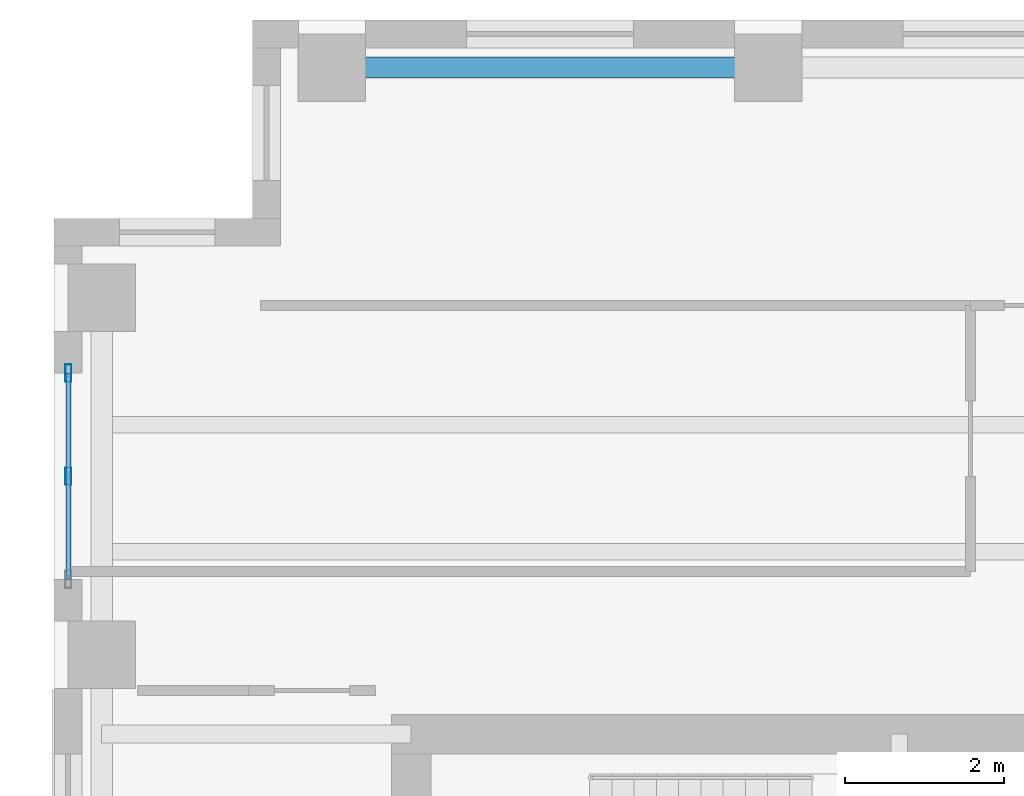
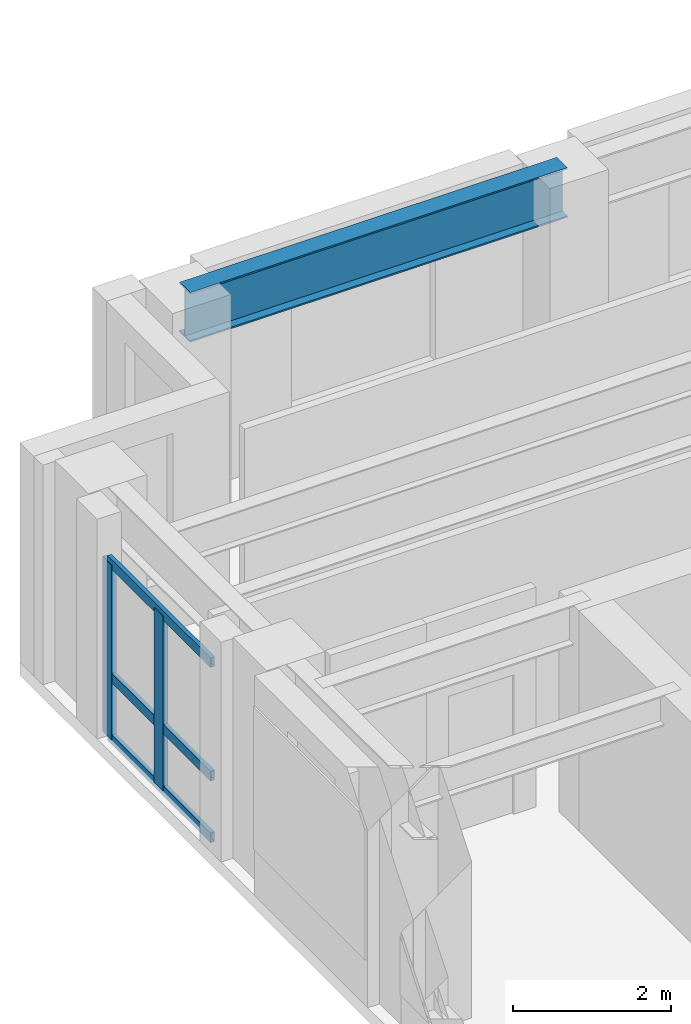
# One storey, part 4 of 13: 5 members, 1 beam, 1 element without a shape of its own.
"""IFC4 building model written with IfcOpenShell, lengths in metres."""

from ifc_helpers import new_model, si_unit, direction, frame, origin, origin_2d, place, context, subcontext, project, spatial, hollow_rectangle, i_section, extrude, source, transform, mapped, material, layer, layer_set, material_profile, profile_set, type_object, element, aggregate, save


model = new_model("IFC4")

# Units and contexts
model_context = context("Model", 3, precision=1e-05, world=origin(), true_north=direction((0.0, 1.0)))
body_context = subcontext(model_context, "Body", "Model", "MODEL_VIEW")
ifc_project = project(units=[si_unit("LENGTHUNIT", "METRE"), si_unit("AREAUNIT", "SQUARE_METRE"), si_unit("VOLUMEUNIT", "CUBIC_METRE"), si_unit("PLANEANGLEUNIT", "RADIAN"), si_unit("MASSUNIT", "GRAM", prefix="KILO")], contexts=[model_context])

# Site, building, storey
site_placement = place(None, origin())
site = spatial("IfcSite", under=ifc_project, at=site_placement, CompositionType="ELEMENT")
building_placement = place(site_placement, origin())
building = spatial("IfcBuilding", under=site, at=building_placement, Name="Kharzan Plaza Tower", CompositionType="ELEMENT")
storey_placement = place(building_placement, frame((0.0, 0.0, 244.800048828125)))
storey = spatial("IfcBuildingStorey", under=building, at=storey_placement, Name="L66", CompositionType="ELEMENT", Elevation=244.800048828125)

# Curtain wall, members
ifc_material_1 = material(Name="Unitised Bronze-Anodized Aluminium and Low-E Glass", Category="aluminium")
ifc_layer = layer(ifc_material_1, 0.199951171875)
ifc_layer_set = layer_set([ifc_layer], Name="Unitised Bronze-Anodized Aluminium and Low-E Glass")
curtain_wall_type = type_object("IfcCurtainWallType", Name="CW-EXEC-5", PredefinedType="NOTDEFINED", material=ifc_layer_set)
curtain_wall_placement = place(storey_placement, origin())
curtain_wall = element("IfcCurtainWall", 1, at=curtain_wall_placement, inside=storey, type_object=curtain_wall_type, Name="L66 Upper Executive Setback Panoramic Curtain Wall", PredefinedType="NOTDEFINED")
ifc_material_2 = material(Name="Anodized Bronze Aluminium", Category="aluminium")
ifc_material_profile_1 = material_profile(ifc_material_2, hollow_rectangle(XDim=0.074951171875, YDim=0.219970703125, WallThickness=0.00390625, at=origin_2d()), Name="ALU-M220x75x4")
ifc_profile_set_1 = profile_set([ifc_material_profile_1], Name="Anodized Bronze Aluminium")
member_type_1 = type_object("IfcMemberType", Name="MEM-CW-MUL200", PredefinedType="MULLION", material=ifc_profile_set_1)
shared_shape_1 = source(origin(), body_context, "Body", "SweptSolid", [
    extrude(hollow_rectangle(XDim=0.074951171875, YDim=0.219970703125, WallThickness=0.00390625, at=origin_2d()), origin(), (0.0, 0.0, 1.0), 2.699951171875),
])
member_1_placement = place(storey_placement, frame((0.179931640625, 32.75, 0.0), z_axis=(0.0, 0.0, 1.0), x_axis=(1.0, 0.0, 0.0)))
member_1 = element("IfcMember", 2, at=member_1_placement, type_object=member_type_1, Name="L66 Curtain-Wall Mullion 01", PredefinedType="MULLION", context=body_context, shape_type="MappedRepresentation", body=[
    mapped(shared_shape_1, transform((0.0, 0.0, 0.0), x_axis=(1.0, 0.0, 0.0), y_axis=(0.0, 1.0, 0.0), z_axis=(0.0, 0.0, 1.0))),
])
member_2_placement = place(storey_placement, frame((0.179931640625, 34.050048828125, 0.0), z_axis=(0.0, 0.0, 1.0), x_axis=(1.0, 0.0, 0.0)))
member_2 = element("IfcMember", 3, at=member_2_placement, type_object=member_type_1, Name="L66 Curtain-Wall Mullion 02", PredefinedType="MULLION", context=body_context, shape_type="MappedRepresentation", body=[
    mapped(shared_shape_1, transform((0.0, 0.0, 0.0), x_axis=(1.0, 0.0, 0.0), y_axis=(0.0, 1.0, 0.0), z_axis=(0.0, 0.0, 1.0))),
])

# Beam
ifc_material_3 = material(Name="Steel S355", Category="steel")
ifc_material_profile_2 = material_profile(ifc_material_3, i_section(OverallWidth=0.26708984375, OverallDepth=0.76611328125, WebThickness=0.014892578125, FlangeThickness=0.023681640625, at=origin_2d()), Name="W760x185")
ifc_profile_set_2 = profile_set([ifc_material_profile_2], Name="Steel S355")
beam_type = type_object("IfcBeamType", Name="BM-SP760B", PredefinedType="SPANDREL", material=ifc_profile_set_2)
shared_shape_2 = source(origin(), body_context, "Body", "SweptSolid", [
    extrude(i_section(OverallWidth=0.26708984375, OverallDepth=0.76611328125, WebThickness=0.014892578125, FlangeThickness=0.023681640625, at=origin_2d()), origin(), (0.0, 0.0, 1.0), 5.5),
])
beam_placement = place(storey_placement, frame((3.5, 37.89990234375, 3.016845703125), z_axis=(1.0, 0.0, 0.0), x_axis=(0.0, 1.0, 0.0)))
element("IfcBeam", 4, at=beam_placement, inside=storey, type_object=beam_type, Name="L66 Perimeter Tube Spandrel", PredefinedType="SPANDREL", context=body_context, shape_type="MappedRepresentation", body=[
    mapped(shared_shape_2, transform((0.0, 0.0, 0.0), x_axis=(1.0, 0.0, 0.0), y_axis=(0.0, 1.0, 0.0), z_axis=(0.0, 0.0, 1.0))),
])

# Member
ifc_material_profile_3 = material_profile(ifc_material_2, hollow_rectangle(XDim=0.06005859375, YDim=0.14990234375, WallThickness=0.00341796875, at=origin_2d()), Name="ALU-T150x60x3.5")
ifc_profile_set_3 = profile_set([ifc_material_profile_3], Name="Anodized Bronze Aluminium")
member_type_2 = type_object("IfcMemberType", Name="MEM-CW-TRN150", PredefinedType="USERDEFINED", material=ifc_profile_set_3)
shared_shape_3 = source(origin(), body_context, "Body", "SweptSolid", [
    extrude(hollow_rectangle(XDim=0.06005859375, YDim=0.14990234375, WallThickness=0.00341796875, at=origin_2d()), origin(), (0.0, 0.0, 1.0), 2.60009765625),
])
member_3_placement = place(storey_placement, frame((0.179931640625, 31.449951171875, 0.0), z_axis=(0.0, 1.0, 0.0), x_axis=(-1.0, 0.0, 0.0)))
member_3 = element("IfcMember", 5, at=member_3_placement, type_object=member_type_2, Name="L66 Curtain-Wall Transom 1", ObjectType="TRANSOM", PredefinedType="USERDEFINED", context=body_context, shape_type="MappedRepresentation", body=[
    mapped(shared_shape_3, transform((0.0, 0.0, 0.0), x_axis=(1.0, 0.0, 0.0), y_axis=(0.0, 1.0, 0.0), z_axis=(0.0, 0.0, 1.0))),
])

member_4_placement = place(storey_placement, frame((0.179931640625, 31.449951171875, 0.949951171875), z_axis=(0.0, 1.0, 0.0), x_axis=(-1.0, 0.0, 0.0)))
member_4 = element("IfcMember", 6, at=member_4_placement, type_object=member_type_2, Name="L66 Curtain-Wall Transom 2", ObjectType="TRANSOM", PredefinedType="USERDEFINED", context=body_context, shape_type="MappedRepresentation", body=[
    mapped(shared_shape_3, transform((0.0, 0.0, 0.0), x_axis=(1.0, 0.0, 0.0), y_axis=(0.0, 1.0, 0.0), z_axis=(0.0, 0.0, 1.0))),
])

member_5_placement = place(storey_placement, frame((0.179931640625, 31.449951171875, 2.699951171875), z_axis=(0.0, 1.0, 0.0), x_axis=(-1.0, 0.0, 0.0)))
member_5 = element("IfcMember", 7, at=member_5_placement, type_object=member_type_2, Name="L66 Curtain-Wall Transom 3", ObjectType="TRANSOM", PredefinedType="USERDEFINED", context=body_context, shape_type="MappedRepresentation", body=[
    mapped(shared_shape_3, transform((0.0, 0.0, 0.0), x_axis=(1.0, 0.0, 0.0), y_axis=(0.0, 1.0, 0.0), z_axis=(0.0, 0.0, 1.0))),
])

aggregate(curtain_wall, [member_1, member_2, member_3, member_4, member_5])

save(model, "model.ifc")
